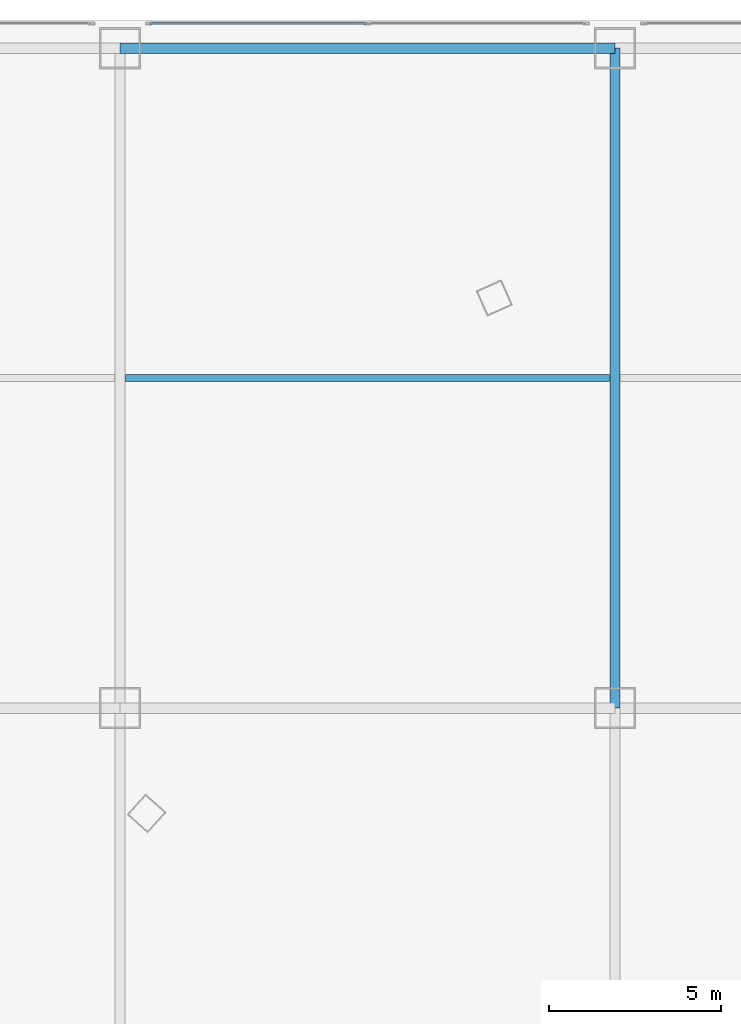
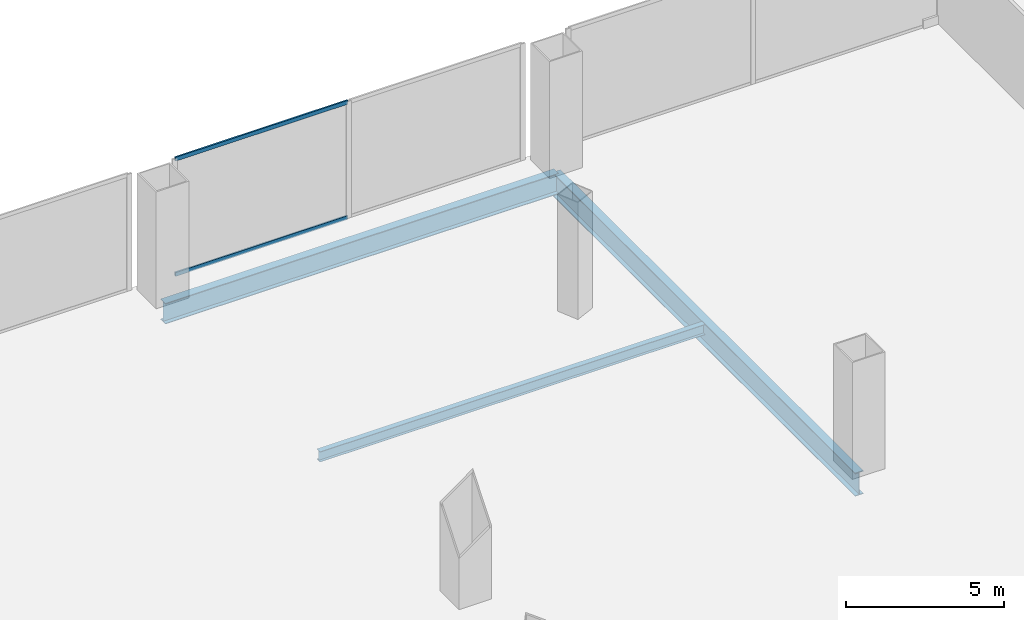
# One storey, part 19 of 40: 3 beams, 2 members, 1 element without a shape of its own.
"""IFC4 building model written with IfcOpenShell, lengths in metres."""

from ifc_helpers import new_model, si_unit, direction, frame, origin, origin_2d, place, context, subcontext, project, spatial, hollow_rectangle, i_section, extrude, source, transform, mapped, material, layer, layer_set, material_profile, profile_set, type_object, element, aggregate, save


model = new_model("IFC4")

# Units and contexts
model_context = context("Model", 3, precision=1e-05, world=origin(), true_north=direction((0.0, 1.0)))
body_context = subcontext(model_context, "Body", "Model", "MODEL_VIEW")
ifc_project = project(units=[si_unit("LENGTHUNIT", "METRE"), si_unit("AREAUNIT", "SQUARE_METRE"), si_unit("VOLUMEUNIT", "CUBIC_METRE"), si_unit("PLANEANGLEUNIT", "RADIAN"), si_unit("MASSUNIT", "GRAM", prefix="KILO"), si_unit("THERMODYNAMICTEMPERATUREUNIT", "KELVIN"), si_unit("POWERUNIT", "WATT")], contexts=[model_context])

# Site, building, storey
site_placement = place(None, origin())
site = spatial("IfcSite", under=ifc_project, at=site_placement, CompositionType="ELEMENT")
building_placement = place(site_placement, origin())
building = spatial("IfcBuilding", under=site, at=building_placement, Name="Yunzhuo Pagoda Commons", CompositionType="ELEMENT")
storey_placement = place(building_placement, frame((0.0, 0.0, 14.39990234375)))
storey = spatial("IfcBuildingStorey", under=building, at=storey_placement, Name="L04", CompositionType="ELEMENT", Elevation=14.39990234375)

# Beams
ifc_material_1 = material(Name="Structural steel Q355B", Category="steel")
ifc_material_profile_1 = material_profile(ifc_material_1, i_section(OverallWidth=0.300048828125, OverallDepth=0.800048828125, WebThickness=0.013916015625, FlangeThickness=0.02587890625, at=origin_2d()), Name="Structural steel Q355B")
ifc_profile_set_1 = profile_set([ifc_material_profile_1], Name="Structural steel Q355B")
beam_type_1 = type_object("IfcBeamType", Name="B-PD2 Beam HN 800x300x14x26", PredefinedType="BEAM", material=ifc_profile_set_1)
shared_shape_1 = source(origin(), body_context, "Body", "SweptSolid", [
    extrude(i_section(OverallWidth=0.300048828125, OverallDepth=0.800048828125, WebThickness=0.013916015625, FlangeThickness=0.02587890625, at=origin_2d()), origin(), (0.0, 0.0, 1.0), 14.400146484375),
])
beam_1_placement = place(storey_placement, frame((19.199951171875, 81.199951171875, -0.679931640625), z_axis=(1.0, 0.0, 0.0), x_axis=(0.0, 1.0, 0.0)))
element("IfcBeam", 1, at=beam_1_placement, inside=storey, type_object=beam_type_1, Name="L04 podium girder EW 5.2", PredefinedType="BEAM", context=body_context, shape_type="MappedRepresentation", body=[
    mapped(shared_shape_1, transform((0.0, 0.0, 0.0), scale=1.0)),
])
ifc_material_profile_2 = material_profile(ifc_material_1, i_section(OverallWidth=0.199951171875, OverallDepth=0.39990234375, WebThickness=0.008056640625, FlangeThickness=0.012939453125, at=origin_2d()), Name="Structural steel Q355B")
ifc_profile_set_2 = profile_set([ifc_material_profile_2], Name="Structural steel Q355B")
beam_type_2 = type_object("IfcBeamType", Name="B-JS1 Joist HN 400x200x8x13", PredefinedType="JOIST", material=ifc_profile_set_2)
shared_shape_2 = source(origin(), body_context, "Body", "SweptSolid", [
    extrude(i_section(OverallWidth=0.199951171875, OverallDepth=0.39990234375, WebThickness=0.008056640625, FlangeThickness=0.012939453125, at=origin_2d()), origin(), (0.0, 0.0, 1.0), 14.08984375),
])
beam_2_placement = place(storey_placement, frame((19.355224609375, 71.60009765625, -0.47998046875), z_axis=(1.0, 0.0, 0.0), x_axis=(0.0, 1.0, 0.0)))
element("IfcBeam", 2, at=beam_2_placement, inside=storey, type_object=beam_type_2, Name="L04 podium composite joist 2.4", PredefinedType="JOIST", context=body_context, shape_type="MappedRepresentation", body=[
    mapped(shared_shape_2, transform((0.0, 0.0, 0.0), scale=1.0)),
])
ifc_material_profile_3 = material_profile(ifc_material_1, i_section(OverallWidth=0.300048828125, OverallDepth=0.89990234375, WebThickness=0.01611328125, FlangeThickness=0.028076171875, at=origin_2d()), Name="Structural steel Q355B")
ifc_profile_set_3 = profile_set([ifc_material_profile_3], Name="Structural steel Q355B")
beam_type_3 = type_object("IfcBeamType", Name="B-PD1 Beam HN 900x300x16x28", PredefinedType="BEAM", material=ifc_profile_set_3)
shared_shape_3 = source(origin(), body_context, "Body", "SweptSolid", [
    extrude(i_section(OverallWidth=0.300048828125, OverallDepth=0.89990234375, WebThickness=0.01611328125, FlangeThickness=0.028076171875, at=origin_2d()), origin(), (0.0, 0.0, 1.0), 19.199951171875),
])
beam_3_placement = place(storey_placement, frame((33.60009765625, 62.0, -0.72998046875), z_axis=(0.0, 1.0, 0.0), x_axis=(-1.0, 0.0, 0.0)))
element("IfcBeam", 3, at=beam_3_placement, inside=storey, type_object=beam_type_3, Name="L04 podium girder NS 3.4", PredefinedType="BEAM", context=body_context, shape_type="MappedRepresentation", body=[
    mapped(shared_shape_3, transform((0.0, 0.0, 0.0), scale=1.0)),
])

# Curtain wall, members
ifc_material_2 = material(Name="Anodized aluminium 6063-T6", Category="aluminium")
ifc_layer = layer(ifc_material_2, 0.179931640625)
ifc_layer_set = layer_set([ifc_layer], Name="Anodized aluminium 6063-T6")
curtain_wall_type = type_object("IfcCurtainWallType", Name="CW-POD Waterfront Podium Curtain Wall", PredefinedType="NOTDEFINED", material=ifc_layer_set)
curtain_wall_placement = place(storey_placement, origin())
curtain_wall = element("IfcCurtainWall", 4, at=curtain_wall_placement, inside=storey, type_object=curtain_wall_type, Name="L04 curtain wall CW-L04-N2", PredefinedType="NOTDEFINED")
ifc_material_profile_4 = material_profile(ifc_material_2, hollow_rectangle(XDim=0.06005859375, YDim=0.14990234375, WallThickness=0.00390625, at=origin_2d()), Name="Anodized aluminium 6063-T6")
ifc_profile_set_4 = profile_set([ifc_material_profile_4], Name="Anodized aluminium 6063-T6")
member_type = type_object("IfcMemberType", Name="CW-POD-T Transom RHS 150x60x4", PredefinedType="USERDEFINED", material=ifc_profile_set_4)
shared_shape_4 = source(origin(), body_context, "Body", "SweptSolid", [
    extrude(hollow_rectangle(XDim=0.06005859375, YDim=0.14990234375, WallThickness=0.00390625, at=origin_2d()), origin(), (0.0, 0.0, 1.0), 6.302490234375),
])
member_1_placement = place(storey_placement, frame((20.06494140625, 81.919921875, 0.030029296875), z_axis=(1.0, 0.0, 0.0), x_axis=(0.0, 1.0, 0.0)))
member_1 = element("IfcMember", 5, at=member_1_placement, type_object=member_type, Name="CW transom 1.1", ObjectType="TRANSOM", PredefinedType="USERDEFINED", context=body_context, shape_type="MappedRepresentation", body=[
    mapped(shared_shape_4, transform((0.0, 0.0, 0.0), scale=1.0)),
])
member_2_placement = place(storey_placement, frame((20.06494140625, 81.919921875, 4.489990234375), z_axis=(1.0, 0.0, 0.0), x_axis=(0.0, 1.0, 0.0)))
member_2 = element("IfcMember", 6, at=member_2_placement, type_object=member_type, Name="CW transom 1.2", ObjectType="TRANSOM", PredefinedType="USERDEFINED", context=body_context, shape_type="MappedRepresentation", body=[
    mapped(shared_shape_4, transform((0.0, 0.0, 0.0), scale=1.0)),
])
aggregate(curtain_wall, [member_1, member_2])

save(model, "model.ifc")
